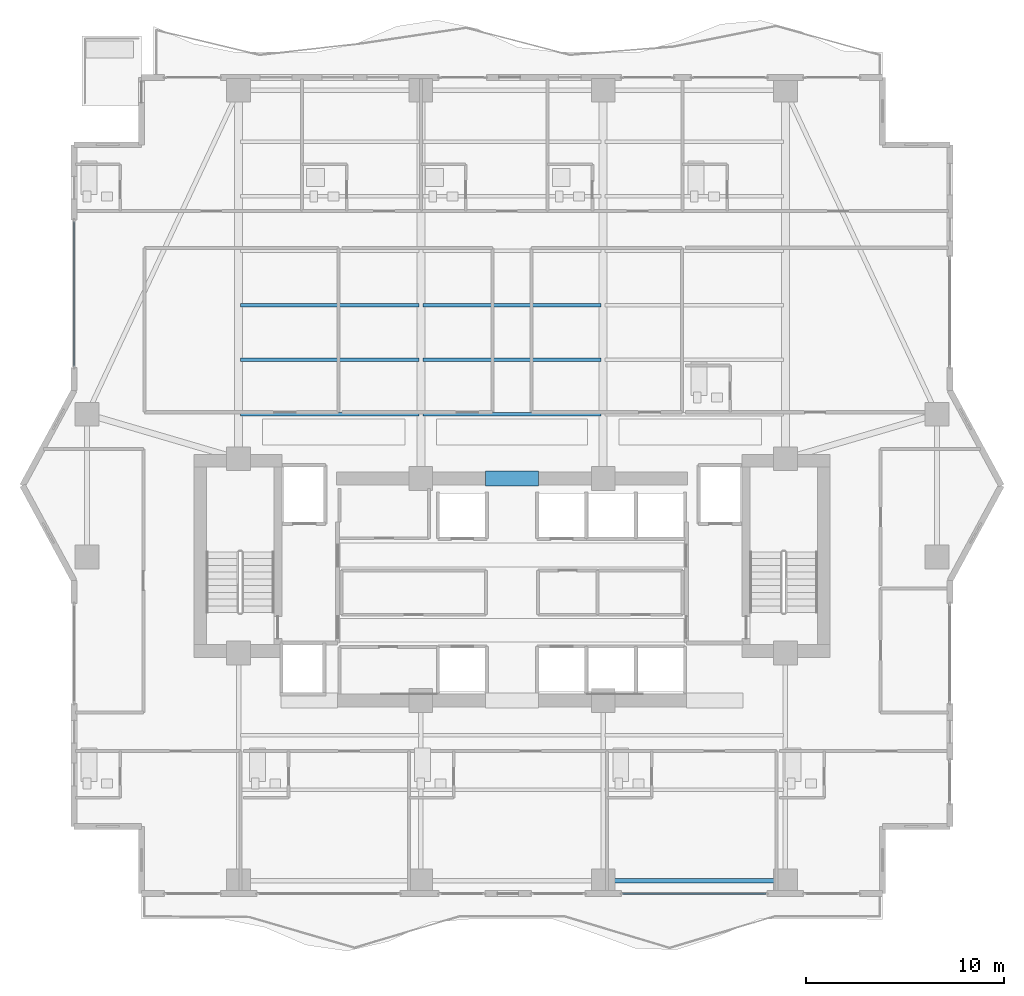
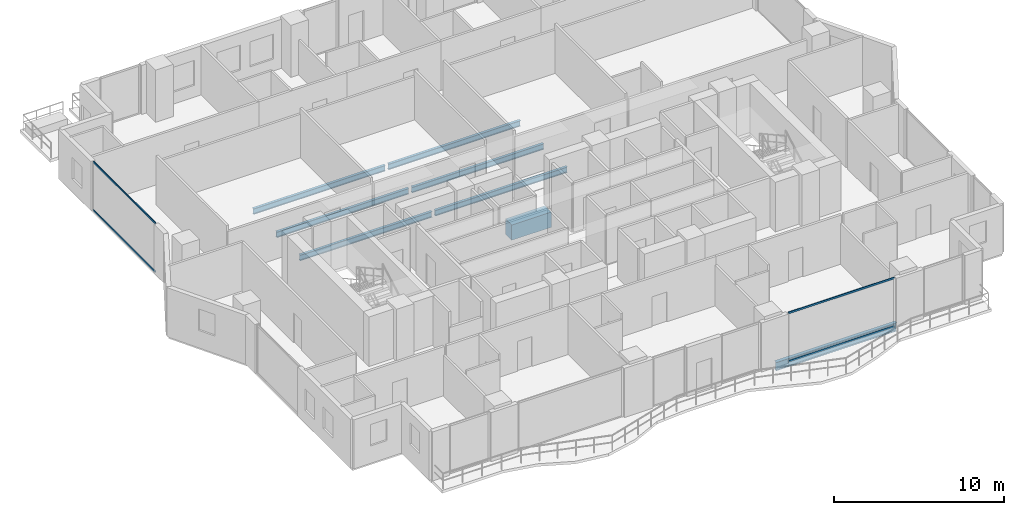
# One storey, part 8 of 32: 8 beams, 4 members, 2 elements without a shape of their own.
"""IFC4 building model written with IfcOpenShell, lengths in metres."""

from ifc_helpers import new_model, si_unit, direction, frame, origin, origin_2d, place, context, subcontext, project, spatial, rectangle, hollow_rectangle, i_section, extrude, material, layer, layer_set, material_profile, profile_set, type_object, element, aggregate, save


model = new_model("IFC4")

# Units and contexts
model_context = context("Model", 3, precision=1e-05, world=origin(), true_north=direction((0.0, 1.0)))
body_context = subcontext(model_context, "Body", "Model", "MODEL_VIEW")
ifc_project = project(units=[si_unit("LENGTHUNIT", "METRE"), si_unit("AREAUNIT", "SQUARE_METRE"), si_unit("VOLUMEUNIT", "CUBIC_METRE"), si_unit("PLANEANGLEUNIT", "RADIAN"), si_unit("MASSUNIT", "GRAM", prefix="KILO")], contexts=[model_context])

# Site, building, storey
site_placement = place(None, origin())
site = spatial("IfcSite", under=ifc_project, at=site_placement, CompositionType="ELEMENT")
building_placement = place(site_placement, origin())
building = spatial("IfcBuilding", under=site, at=building_placement, Name="Zuhayl Quay Hotel", CompositionType="ELEMENT")
storey_placement = place(building_placement, frame((0.0, 0.0, 184.89990234375)))
storey = spatial("IfcBuildingStorey", under=building, at=storey_placement, Name="L46", CompositionType="ELEMENT", Elevation=184.89990234375)

# Beams
ifc_material_1 = material(Name="Steel ASTM A992 Grade 50", Category="steel")
ifc_material_profile_1 = material_profile(ifc_material_1, i_section(OverallWidth=0.22802734375, OverallDepth=0.60693359375, WebThickness=0.01123046875, FlangeThickness=0.017333984375, at=origin_2d()), Name="W24X76")
ifc_profile_set_1 = profile_set([ifc_material_profile_1], Name="Steel ASTM A992 Grade 50")
beam_type_1 = type_object("IfcBeamType", Name="BM_B3_W24X76", PredefinedType="BEAM", material=ifc_profile_set_1)
beam_1_placement = place(storey_placement, frame((5.10009765625, -6.949951171875, -0.5234375), z_axis=(1.0, 0.0, 0.0), x_axis=(0.0, 1.0, 0.0)))
element("IfcBeam", 1, at=beam_1_placement, inside=storey, type_object=beam_type_1, Name="L46 Floor Beam RG_L46_03", PredefinedType="BEAM", context=body_context, shape_type="SweptSolid", body=[
    extrude(i_section(OverallWidth=0.22802734375, OverallDepth=0.60693359375, WebThickness=0.01123046875, FlangeThickness=0.017333984375, at=origin_2d()), origin(), (0.0, 0.0, 1.0), 8.199951171875),
])
ifc_material_2 = material(Name="Concrete C60/75", Category="concrete")
ifc_material_profile_2 = material_profile(ifc_material_2, rectangle(XDim=0.75, YDim=1.10009765625, at=origin_2d()), Name="RC750X1100")
ifc_profile_set_2 = profile_set([ifc_material_profile_2], Name="Concrete C60/75")
beam_type_2 = type_object("IfcBeamType", Name="BM_CB2_RC750", PredefinedType="T_BEAM", material=ifc_profile_set_2)
beam_2_placement = place(storey_placement, frame((-1.35009765625, 13.35009765625, -0.77001953125), z_axis=(1.0, 0.0, 0.0), x_axis=(0.0, 1.0, 0.0)))
element("IfcBeam", 2, at=beam_2_placement, inside=storey, type_object=beam_type_2, Name="L46 Core Coupling Beam North", PredefinedType="T_BEAM", context=body_context, shape_type="SweptSolid", body=[
    extrude(rectangle(XDim=0.75, YDim=1.10009765625, at=origin_2d()), origin(), (0.0, 0.0, 1.0), 2.7001953125),
])
ifc_material_profile_3 = material_profile(ifc_material_1, i_section(OverallWidth=0.177978515625, OverallDepth=0.406005859375, WebThickness=0.0078125, FlangeThickness=0.0126953125, at=origin_2d()), Name="W16X40")
ifc_profile_set_3 = profile_set([ifc_material_profile_3], Name="Steel ASTM A992 Grade 50")
beam_type_3 = type_object("IfcBeamType", Name="BM_J2B_W16X40", PredefinedType="JOIST", material=ifc_profile_set_3)
beam_3_placement = place(storey_placement, frame((-13.694091796875, 16.60009765625, -0.4228515625), z_axis=(1.0, 0.0, 0.0), x_axis=(0.0, 1.0, 0.0)))
element("IfcBeam", 3, at=beam_3_placement, inside=storey, type_object=beam_type_3, Name="L46 Floor Beam FJ_L46_1_1", PredefinedType="JOIST", context=body_context, shape_type="SweptSolid", body=[
    extrude(i_section(OverallWidth=0.177978515625, OverallDepth=0.406005859375, WebThickness=0.0078125, FlangeThickness=0.0126953125, at=origin_2d()), origin(), (0.0, 0.0, 1.0), 8.988037109375),
])
beam_4_placement = place(storey_placement, frame((-4.493896484375, 16.60009765625, -0.4228515625), z_axis=(1.0, 0.0, 0.0), x_axis=(0.0, 1.0, 0.0)))
element("IfcBeam", 4, at=beam_4_placement, inside=storey, type_object=beam_type_3, Name="L46 Floor Beam FJ_L46_1_2", PredefinedType="JOIST", context=body_context, shape_type="SweptSolid", body=[
    extrude(i_section(OverallWidth=0.177978515625, OverallDepth=0.406005859375, WebThickness=0.0078125, FlangeThickness=0.0126953125, at=origin_2d()), origin(), (0.0, 0.0, 1.0), 8.98779296875),
])
beam_5_placement = place(storey_placement, frame((-13.694091796875, 19.35009765625, -0.4228515625), z_axis=(1.0, 0.0, 0.0), x_axis=(0.0, 1.0, 0.0)))
element("IfcBeam", 5, at=beam_5_placement, inside=storey, type_object=beam_type_3, Name="L46 Floor Beam FJ_L46_2_1", PredefinedType="JOIST", context=body_context, shape_type="SweptSolid", body=[
    extrude(i_section(OverallWidth=0.177978515625, OverallDepth=0.406005859375, WebThickness=0.0078125, FlangeThickness=0.0126953125, at=origin_2d()), origin(), (0.0, 0.0, 1.0), 8.988037109375),
])
beam_6_placement = place(storey_placement, frame((-4.493896484375, 19.35009765625, -0.4228515625), z_axis=(1.0, 0.0, 0.0), x_axis=(0.0, 1.0, 0.0)))
element("IfcBeam", 6, at=beam_6_placement, inside=storey, type_object=beam_type_3, Name="L46 Floor Beam FJ_L46_2_2", PredefinedType="JOIST", context=body_context, shape_type="SweptSolid", body=[
    extrude(i_section(OverallWidth=0.177978515625, OverallDepth=0.406005859375, WebThickness=0.0078125, FlangeThickness=0.0126953125, at=origin_2d()), origin(), (0.0, 0.0, 1.0), 8.98779296875),
])
beam_7_placement = place(storey_placement, frame((-13.694091796875, 22.10009765625, -0.4228515625), z_axis=(1.0, 0.0, 0.0), x_axis=(0.0, 1.0, 0.0)))
element("IfcBeam", 7, at=beam_7_placement, inside=storey, type_object=beam_type_3, Name="L46 Floor Beam FJ_L46_3_1", PredefinedType="JOIST", context=body_context, shape_type="SweptSolid", body=[
    extrude(i_section(OverallWidth=0.177978515625, OverallDepth=0.406005859375, WebThickness=0.0078125, FlangeThickness=0.0126953125, at=origin_2d()), origin(), (0.0, 0.0, 1.0), 8.988037109375),
])
beam_8_placement = place(storey_placement, frame((-4.493896484375, 22.10009765625, -0.4228515625), z_axis=(1.0, 0.0, 0.0), x_axis=(0.0, 1.0, 0.0)))
element("IfcBeam", 8, at=beam_8_placement, inside=storey, type_object=beam_type_3, Name="L46 Floor Beam FJ_L46_3_2", PredefinedType="JOIST", context=body_context, shape_type="SweptSolid", body=[
    extrude(i_section(OverallWidth=0.177978515625, OverallDepth=0.406005859375, WebThickness=0.0078125, FlangeThickness=0.0126953125, at=origin_2d()), origin(), (0.0, 0.0, 1.0), 8.98779296875),
])

# Curtain wall, members
ifc_material_3 = material(Name="Anodised Aluminium 6063-T6", Category="aluminium")
ifc_layer = layer(ifc_material_3, 0.175048828125, Name="Anodised Aluminium 6063-T6", Category="aluminium")
ifc_layer_set = layer_set([ifc_layer], Name="Anodised Aluminium 6063-T6")
curtain_wall_type = type_object("IfcCurtainWallType", Name="CW_SYS_Z3", PredefinedType="USERDEFINED", material=ifc_layer_set)
curtain_wall_1_placement = place(storey_placement, origin())
curtain_wall_1 = element("IfcCurtainWall", 9, at=curtain_wall_1_placement, inside=storey, type_object=curtain_wall_type, Name="L46 Curtain Wall ENV_L46_E05_CW1", ObjectType="UNITISED CURTAIN WALL", PredefinedType="USERDEFINED")
ifc_material_4 = material(Name="Black-anodised aluminium 6063-T6", Category="aluminium")
ifc_material_profile_4 = material_profile(ifc_material_4, hollow_rectangle(XDim=0.054931640625, YDim=0.1298828125, WallThickness=0.0029296875, at=origin_2d()), Name="ALU130X55")
ifc_profile_set_4 = profile_set([ifc_material_profile_4], Name="Black-anodised aluminium 6063-T6")
member_type = type_object("IfcMemberType", Name="MB_CW_TRN_130", PredefinedType="USERDEFINED", material=ifc_profile_set_4)
member_1_placement = place(storey_placement, frame((-22.10009765625, 19.014892578125, 0.027587890625), z_axis=(0.0, 1.0, 0.0), x_axis=(-1.0, 0.0, 0.0)))
member_1 = element("IfcMember", 10, at=member_1_placement, type_object=member_type, Name="CW-Z3 transom 1.1", ObjectType="TRANSOM", PredefinedType="USERDEFINED", context=body_context, shape_type="SweptSolid", body=[
    extrude(hollow_rectangle(XDim=0.054931640625, YDim=0.1298828125, WallThickness=0.0029296875, at=origin_2d()), origin(), (0.0, 0.0, 1.0), 7.320068359375),
])
member_2_placement = place(storey_placement, frame((-22.10009765625, 19.014892578125, 3.502685546875), z_axis=(0.0, 1.0, 0.0), x_axis=(-1.0, 0.0, 0.0)))
member_2 = element("IfcMember", 11, at=member_2_placement, type_object=member_type, Name="CW-Z3 transom 1.2", ObjectType="TRANSOM", PredefinedType="USERDEFINED", context=body_context, shape_type="SweptSolid", body=[
    extrude(hollow_rectangle(XDim=0.054931640625, YDim=0.1298828125, WallThickness=0.0029296875, at=origin_2d()), origin(), (0.0, 0.0, 1.0), 7.320068359375),
])
aggregate(curtain_wall_1, [member_1, member_2])

curtain_wall_2_placement = place(storey_placement, origin())
curtain_wall_2 = element("IfcCurtainWall", 12, at=curtain_wall_2_placement, inside=storey, type_object=curtain_wall_type, Name="L46 Curtain Wall ENV_L46_S_CW2", ObjectType="UNITISED CURTAIN WALL", PredefinedType="USERDEFINED")
member_3_placement = place(storey_placement, frame((12.81494140625, -7.60009765625, 0.027587890625), z_axis=(-1.0, 0.0, 0.0), x_axis=(0.0, -1.0, 0.0)))
member_3 = element("IfcMember", 13, at=member_3_placement, type_object=member_type, Name="CW-Z3 transom 1.1", ObjectType="TRANSOM", PredefinedType="USERDEFINED", context=body_context, shape_type="SweptSolid", body=[
    extrude(hollow_rectangle(XDim=0.054931640625, YDim=0.1298828125, WallThickness=0.0029296875, at=origin_2d()), origin(), (0.0, 0.0, 1.0), 7.22998046875),
])
member_4_placement = place(storey_placement, frame((12.81494140625, -7.60009765625, 3.502685546875), z_axis=(-1.0, 0.0, 0.0), x_axis=(0.0, -1.0, 0.0)))
member_4 = element("IfcMember", 14, at=member_4_placement, type_object=member_type, Name="CW-Z3 transom 1.2", ObjectType="TRANSOM", PredefinedType="USERDEFINED", context=body_context, shape_type="SweptSolid", body=[
    extrude(hollow_rectangle(XDim=0.054931640625, YDim=0.1298828125, WallThickness=0.0029296875, at=origin_2d()), origin(), (0.0, 0.0, 1.0), 7.22998046875),
])
aggregate(curtain_wall_2, [member_3, member_4])

save(model, "model.ifc")
